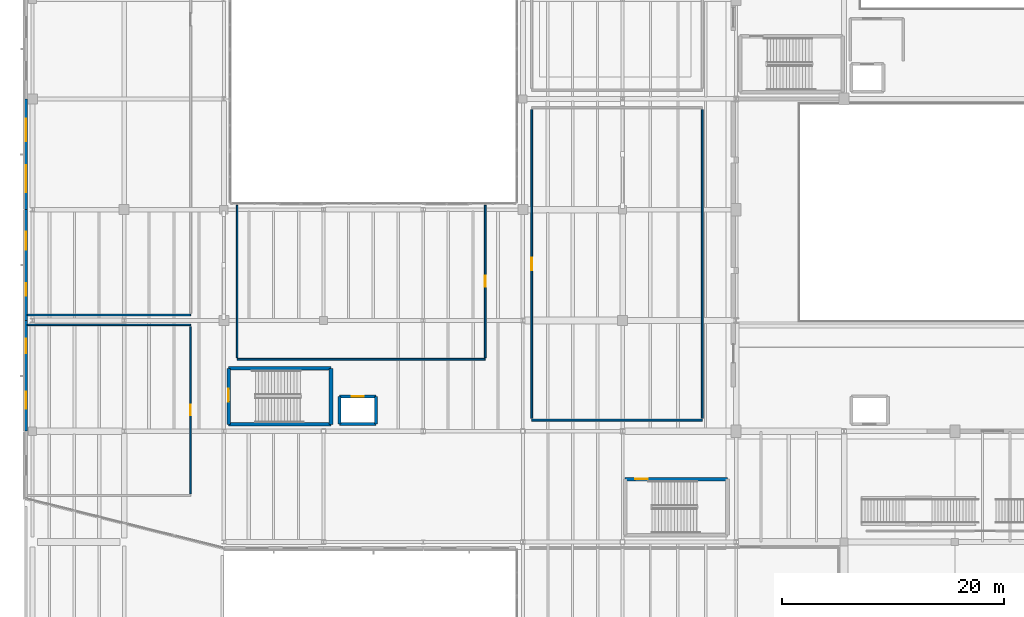
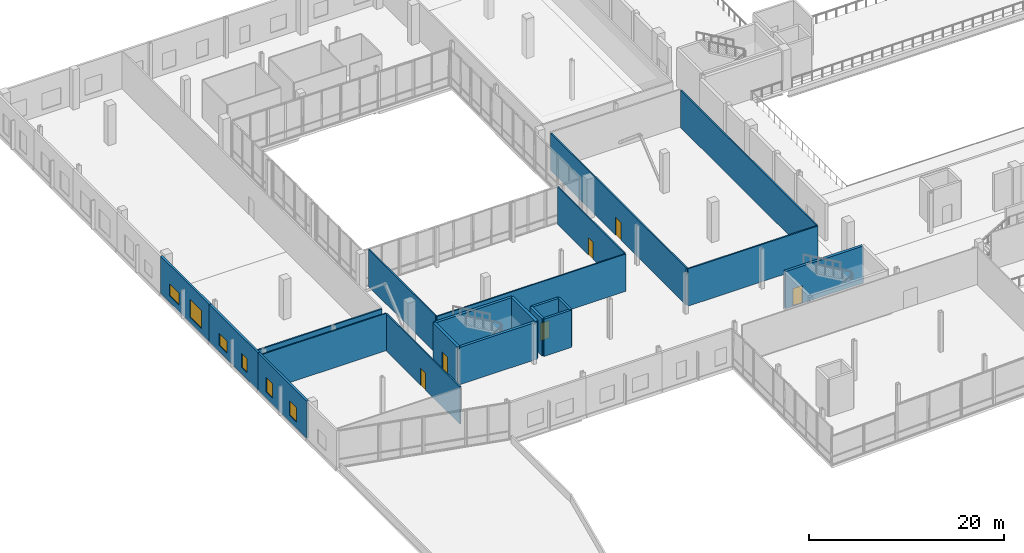
# One storey, part 59 of 81: 21 walls, 6 doors, 6 windows, 12 openings.
"""IFC4 building model written with IfcOpenShell, lengths in metres."""

from ifc_helpers import new_model, si_unit, direction, frame, frame_2d, origin, place, context, subcontext, project, spatial, rectangle, extrude, material, layer, layer_set, type_object, element, fill, save


model = new_model("IFC4")

# Units and contexts
model_context = context("Model", 3, precision=1e-05, world=origin(), true_north=direction((0.0, 1.0)))
body_context = subcontext(model_context, "Body", "Model", "MODEL_VIEW")
ifc_project = project(units=[si_unit("LENGTHUNIT", "METRE"), si_unit("AREAUNIT", "SQUARE_METRE"), si_unit("VOLUMEUNIT", "CUBIC_METRE"), si_unit("PLANEANGLEUNIT", "RADIAN"), si_unit("MASSUNIT", "GRAM", prefix="KILO")], contexts=[model_context])

# Site, building, storey
site_placement = place(None, origin())
site = spatial("IfcSite", under=ifc_project, at=site_placement, CompositionType="ELEMENT")
building_placement = place(site_placement, origin())
building = spatial("IfcBuilding", under=site, at=building_placement, Name="Trimount Lyric Opera House", CompositionType="ELEMENT")
storey_placement = place(building_placement, frame((0.0, 0.0, 5.0)))
storey = spatial("IfcBuildingStorey", under=building, at=storey_placement, Name="L01", CompositionType="ELEMENT", Elevation=5.0)

# Walls
ifc_material_1 = material(Name="Fire-Rated Gypsum Board Partition")
ifc_layer_1 = layer(ifc_material_1, 0.14990234375)
ifc_layer_set_1 = layer_set([ifc_layer_1], Name="WL-PT150")
wall_type_1 = type_object("IfcWallType", Name="WL-PT150", PredefinedType="PARTITIONING", material=ifc_layer_set_1)
wall_1_placement = place(storey_placement, frame((19.199951171875, 60.5, 0.0), z_axis=(0.0, 0.0, 1.0), x_axis=(1.0, 0.0, 0.0)))
element("IfcWall", 1, at=wall_1_placement, inside=storey, type_object=wall_type_1, Name="L01 Ensemble Dressing Suites West S partition", PredefinedType="PARTITIONING", context=body_context, shape_type="SweptSolid", body=[
    extrude(rectangle(XDim=22.400146484375, YDim=0.14990234375, at=frame_2d((11.2001953125, 0.0))), origin(), (0.0, 0.0, 1.0), 4.679931640625),
])
wall_2_placement = place(storey_placement, frame((19.199951171875, 74.39990234375, 0.0), z_axis=(0.0, 0.0, 1.0), x_axis=(0.0, -1.0, 0.0)))
element("IfcWall", 2, at=wall_2_placement, inside=storey, type_object=wall_type_1, Name="L01 Ensemble Dressing Suites West W partition", PredefinedType="PARTITIONING", context=body_context, shape_type="SweptSolid", body=[
    extrude(rectangle(XDim=13.75, YDim=0.14990234375, at=frame_2d((6.875, 0.0))), origin(), (0.0, 0.0, 1.0), 4.679931640625),
])

# Wall, opening, door
wall_3_placement = place(storey_placement, frame((41.60009765625, 60.64990234375, 0.0), z_axis=(0.0, 0.0, 1.0), x_axis=(0.0, 1.0, 0.0)))
wall_3 = element("IfcWall", 3, at=wall_3_placement, inside=storey, type_object=wall_type_1, Name="L01 Ensemble Dressing Suites West E partition", PredefinedType="PARTITIONING", context=body_context, shape_type="SweptSolid", body=[
    extrude(rectangle(XDim=13.75, YDim=0.14990234375, at=frame_2d((6.875, 0.0))), origin(), (0.0, 0.0, 1.0), 4.679931640625),
])
opening_1_placement = place(wall_3_placement, frame((6.375, 0.0, 0.0)))
opening_1 = element("IfcOpeningElement", 4, at=opening_1_placement, cuts=wall_3, Name="Opening DT-RM1", PredefinedType="OPENING", context=body_context, shape_type="SweptSolid", body=[
    extrude(rectangle(XDim=1.0, YDim=2.14990234375, at=frame_2d((0.5, 1.074951171875))), frame((0.0, 0.0849609375, 0.0), z_axis=(0.0, -1.0, 0.0), x_axis=(1.0, 0.0, 0.0)), (0.0, 0.0, 1.0), 0.169921875),
])
ifc_material_2 = material(Name="Solid Core White Oak")
door_type_1 = type_object("IfcDoorType", Name="DT-RM1", OperationType="NOTDEFINED", PredefinedType="DOOR", material=ifc_material_2)
door_1_placement = place(opening_1_placement, origin())
door_1 = element("IfcDoor", 5, at=door_1_placement, inside=storey, type_object=door_type_1, Name="D-198", OperationType="SINGLE_SWING_LEFT", OverallHeight=2.14990234375, OverallWidth=1.0, PredefinedType="DOOR", context=body_context, shape_type="SweptSolid", body=[
    extrude(rectangle(XDim=1.0, YDim=2.14990234375, at=frame_2d((0.5, 1.074951171875))), frame((0.0, 0.02490234375, 0.0), z_axis=(0.0, -1.0, 0.0), x_axis=(1.0, 0.0, 0.0)), (0.0, 0.0, 1.0), 0.050048828125),
])
fill(opening_1, door_1)

# Wall
wall_4_placement = place(storey_placement, frame((15.0, 63.60009765625, 0.0), z_axis=(0.0, 0.0, 1.0), x_axis=(-1.0, 0.0, 0.0)))
element("IfcWall", 6, at=wall_4_placement, inside=storey, type_object=wall_type_1, Name="L01 Conductor & Soloist Suite N partition", PredefinedType="PARTITIONING", context=body_context, shape_type="SweptSolid", body=[
    extrude(rectangle(XDim=14.75, YDim=0.14990234375, at=frame_2d((7.375, 0.0))), origin(), (0.0, 0.0, 1.0), 4.679931640625),
])

# Wall, opening, door
wall_5_placement = place(storey_placement, frame((15.0, 48.35009765625, 0.0), z_axis=(0.0, 0.0, 1.0), x_axis=(0.0, 1.0, 0.0)))
wall_5 = element("IfcWall", 7, at=wall_5_placement, inside=storey, type_object=wall_type_1, Name="L01 Conductor & Soloist Suite E partition", PredefinedType="PARTITIONING", context=body_context, shape_type="SweptSolid", body=[
    extrude(rectangle(XDim=15.099853515625, YDim=0.14990234375, at=frame_2d((7.5498046875, 0.0))), origin(), (0.0, 0.0, 1.0), 4.679931640625),
])
opening_2_placement = place(wall_5_placement, frame((7.074951171875, 0.0, 0.0)))
opening_2 = element("IfcOpeningElement", 8, at=opening_2_placement, cuts=wall_5, Name="Opening DT-RM2", PredefinedType="OPENING", context=body_context, shape_type="SweptSolid", body=[
    extrude(rectangle(XDim=0.949951171875, YDim=2.14990234375, at=frame_2d((0.47509765625, 1.074951171875))), frame((0.0, 0.0849609375, 0.0), z_axis=(0.0, -1.0, 0.0), x_axis=(1.0, 0.0, 0.0)), (0.0, 0.0, 1.0), 0.169921875),
])
ifc_material_3 = material(Name="Solid Core White Oak")
door_type_2 = type_object("IfcDoorType", Name="DT-RM2", OperationType="NOTDEFINED", PredefinedType="DOOR", material=ifc_material_3)
door_2_placement = place(opening_2_placement, origin())
door_2 = element("IfcDoor", 9, at=door_2_placement, inside=storey, type_object=door_type_2, Name="D-200", OperationType="SINGLE_SWING_LEFT", OverallHeight=2.14990234375, OverallWidth=0.949951171875, PredefinedType="DOOR", context=body_context, shape_type="SweptSolid", body=[
    extrude(rectangle(XDim=0.949951171875, YDim=2.14990234375, at=frame_2d((0.47509765625, 1.074951171875))), frame((0.0, 0.02490234375, 0.0), z_axis=(0.0, -1.0, 0.0), x_axis=(1.0, 0.0, 0.0)), (0.0, 0.0, 1.0), 0.050048828125),
])
fill(opening_2, door_2)

# Walls
ifc_material_4 = material(Name="Acoustic Double-Stud Gypsum Board")
ifc_layer_2 = layer(ifc_material_4, 0.1650390625)
ifc_layer_set_2 = layer_set([ifc_layer_2], Name="WL-PT165")
wall_type_2 = type_object("IfcWallType", Name="WL-PT165", PredefinedType="PARTITIONING", material=ifc_layer_set_2)
wall_6_placement = place(storey_placement, frame((0.25, 64.5, 0.0), z_axis=(0.0, 0.0, 1.0), x_axis=(1.0, 0.0, 0.0)))
element("IfcWall", 10, at=wall_6_placement, inside=storey, type_object=wall_type_2, Name="L01 Vocal & Repetiteur Studios S partition", PredefinedType="PARTITIONING", context=body_context, shape_type="SweptSolid", body=[
    extrude(rectangle(XDim=14.75, YDim=0.1650390625, at=frame_2d((7.375, 0.0))), origin(), (0.0, 0.0, 1.0), 4.679931640625),
])
wall_7_placement = place(storey_placement, frame((45.800048828125, 55.0, 0.0), z_axis=(0.0, 0.0, 1.0), x_axis=(1.0, 0.0, 0.0)))
element("IfcWall", 11, at=wall_7_placement, inside=storey, type_object=wall_type_2, Name="L01 Chorus Sectional Rehearsal Studio S partition", PredefinedType="PARTITIONING", context=body_context, shape_type="SweptSolid", body=[
    extrude(rectangle(XDim=15.39990234375, YDim=0.1650390625, at=frame_2d((7.699951171875, 0.0))), origin(), (0.0, 0.0, 1.0), 4.679931640625),
])

# Wall, opening, door
wall_8_placement = place(storey_placement, frame((45.800048828125, 83.034912109375, 0.0), z_axis=(0.0, 0.0, 1.0), x_axis=(0.0, -1.0, 0.0)))
wall_8 = element("IfcWall", 12, at=wall_8_placement, inside=storey, type_object=wall_type_2, Name="L01 Chorus Sectional Rehearsal Studio W partition", PredefinedType="PARTITIONING", context=body_context, shape_type="SweptSolid", body=[
    extrude(rectangle(XDim=27.869873046875, YDim=0.1650390625, at=frame_2d((13.93505859375, 0.0))), origin(), (0.0, 0.0, 1.0), 4.679931640625),
])
opening_3_placement = place(wall_8_placement, frame((13.375, 0.0, 0.0)))
opening_3 = element("IfcOpeningElement", 13, at=opening_3_placement, cuts=wall_8, Name="Opening DT-AC2", PredefinedType="OPENING", context=body_context, shape_type="SweptSolid", body=[
    extrude(rectangle(XDim=1.1201171875, YDim=2.25, at=frame_2d((0.56005859375, 1.125))), frame((0.0, 0.092529296875, 0.0), z_axis=(0.0, -1.0, 0.0), x_axis=(1.0, 0.0, 0.0)), (0.0, 0.0, 1.0), 0.18505859375),
])
ifc_material_5 = material(Name="Acoustic Steel-Core Timber", Category="steel")
door_type_3 = type_object("IfcDoorType", Name="DT-AC2", OperationType="NOTDEFINED", PredefinedType="DOOR", material=ifc_material_5)
door_3_placement = place(opening_3_placement, origin())
door_3 = element("IfcDoor", 14, at=door_3_placement, inside=storey, type_object=door_type_3, Name="D-199", OperationType="SINGLE_SWING_RIGHT", OverallHeight=2.25, OverallWidth=1.1201171875, PredefinedType="DOOR", context=body_context, shape_type="SweptSolid", body=[
    extrude(rectangle(XDim=1.1201171875, YDim=2.25, at=frame_2d((0.56005859375, 1.125))), frame((0.0, 0.02490234375, 0.0), z_axis=(0.0, -1.0, 0.0), x_axis=(1.0, 0.0, 0.0)), (0.0, 0.0, 1.0), 0.050048828125),
])
fill(opening_3, door_3)

# Walls
wall_9_placement = place(storey_placement, frame((61.199951171875, 55.1650390625, 0.0), z_axis=(0.0, 0.0, 1.0), x_axis=(0.0, 1.0, 0.0)))
element("IfcWall", 15, at=wall_9_placement, inside=storey, type_object=wall_type_2, Name="L01 Chorus Sectional Rehearsal Studio E partition", PredefinedType="PARTITIONING", context=body_context, shape_type="SweptSolid", body=[
    extrude(rectangle(XDim=27.869873046875, YDim=0.1650390625, at=frame_2d((13.93505859375, 0.0))), origin(), (0.0, 0.0, 1.0), 4.679931640625),
])
ifc_material_6 = material(Name="Concrete C40/50", Category="concrete")
ifc_layer_3 = layer(ifc_material_6, 0.280029296875)
ifc_layer_set_3 = layer_set([ifc_layer_3], Name="WL-SH280")
wall_type_3 = type_object("IfcWallType", Name="WL-SH280", PredefinedType="SHEAR", material=ifc_layer_set_3)
wall_10_placement = place(storey_placement, frame((28.4599609375, 54.659912109375, 0.0), z_axis=(0.0, 0.0, 1.0), x_axis=(1.0, 0.0, 0.0)))
element("IfcWall", 16, at=wall_10_placement, inside=storey, type_object=wall_type_3, Name="Lift LF-06 L01 south shaft wall", PredefinedType="SHEAR", context=body_context, shape_type="SweptSolid", body=[
    extrude(rectangle(XDim=3.280029296875, YDim=0.280029296875, at=frame_2d((1.64013671875, 0.0))), origin(), (0.0, 0.0, 1.0), 4.679931640625),
])

# Wall, opening, door
wall_11_placement = place(storey_placement, frame((31.739990234375, 57.139892578125, 0.0), z_axis=(0.0, 0.0, 1.0), x_axis=(-1.0, 0.0, 0.0)))
wall_11 = element("IfcWall", 17, at=wall_11_placement, inside=storey, type_object=wall_type_3, Name="Lift LF-06 L01 north shaft wall", PredefinedType="SHEAR", context=body_context, shape_type="SweptSolid", body=[
    extrude(rectangle(XDim=3.280029296875, YDim=0.280029296875, at=frame_2d((1.64013671875, 0.0))), origin(), (0.0, 0.0, 1.0), 4.679931640625),
])
opening_4_placement = place(wall_11_placement, frame((1.090087890625, 0.0, 0.0)))
opening_4 = element("IfcOpeningElement", 18, at=opening_4_placement, cuts=wall_11, Name="Opening DT-LD1", PredefinedType="OPENING", context=body_context, shape_type="SweptSolid", body=[
    extrude(rectangle(XDim=1.10009765625, YDim=2.199951171875, at=frame_2d((0.550048828125, 1.10009765625))), frame((0.0, 0.14990234375, 0.0), z_axis=(0.0, -1.0, 0.0), x_axis=(1.0, 0.0, 0.0)), (0.0, 0.0, 1.0), 0.300048828125),
])
ifc_material_7 = material(Name="Brushed Stainless Steel", Category="steel")
door_type_4 = type_object("IfcDoorType", Name="DT-LD1", OperationType="SLIDING_TO_LEFT", PredefinedType="DOOR", material=ifc_material_7)
door_4_placement = place(opening_4_placement, origin())
door_4 = element("IfcDoor", 19, at=door_4_placement, inside=storey, type_object=door_type_4, Name="D-109", OperationType="SLIDING_TO_LEFT", OverallHeight=2.199951171875, OverallWidth=1.10009765625, PredefinedType="DOOR", context=body_context, shape_type="SweptSolid", body=[
    extrude(rectangle(XDim=1.10009765625, YDim=2.199951171875, at=frame_2d((0.550048828125, 1.10009765625))), frame((0.0, 0.02490234375, 0.0), z_axis=(0.0, -1.0, 0.0), x_axis=(1.0, 0.0, 0.0)), (0.0, 0.0, 1.0), 0.050048828125),
])
fill(opening_4, door_4)

# Walls
for number, where, z_axis, x_axis, name in (
    (20, (28.4599609375, 57.139892578125, 0.0), (0.0, 0.0, 1.0), (0.0, -1.0, 0.0), "Lift LF-06 L01 west shaft wall"),
    (21, (31.739990234375, 54.659912109375, 0.0), (0.0, 0.0, 1.0), (0.0, 1.0, 0.0), "Lift LF-06 L01 east shaft wall"),
):
    element("IfcWall", number, at=place(storey_placement, frame(where, z_axis=z_axis, x_axis=x_axis)), inside=storey, type_object=wall_type_3, Name=name, PredefinedType="SHEAR", context=body_context, shape_type="SweptSolid", body=[
        extrude(rectangle(XDim=2.47998046875, YDim=0.280029296875, at=frame_2d((1.239990234375, 0.0))), origin(), (0.0, 0.0, 1.0), 4.679931640625),
    ])
ifc_material_8 = material(Name="Concrete C40/50", Category="concrete")
ifc_layer_4 = layer(ifc_material_8, 0.320068359375)
ifc_layer_set_4 = layer_set([ifc_layer_4], Name="WL-SH320")
wall_type_4 = type_object("IfcWallType", Name="WL-SH320", PredefinedType="SHEAR", material=ifc_layer_set_4)
for number, where, z_axis, x_axis, name in (
    (22, (18.425048828125, 54.625, 0.0), (0.0, 0.0, 1.0), (1.0, 0.0, 0.0), "K6 L01 south shaft wall"),
    (23, (27.675048828125, 59.675048828125, 0.0), (0.0, 0.0, 1.0), (-1.0, 0.0, 0.0), "K6 L01 north shaft wall"),
):
    element("IfcWall", number, at=place(storey_placement, frame(where, z_axis=z_axis, x_axis=x_axis)), inside=storey, type_object=wall_type_4, Name=name, PredefinedType="SHEAR", context=body_context, shape_type="SweptSolid", body=[
        extrude(rectangle(XDim=9.25, YDim=0.320068359375, at=frame_2d((4.625, 0.0))), origin(), (0.0, 0.0, 1.0), 4.679931640625),
    ])

# Wall, opening, door
wall_12_placement = place(storey_placement, frame((18.425048828125, 59.675048828125, 0.0), z_axis=(0.0, 0.0, 1.0), x_axis=(0.0, -1.0, 0.0)))
wall_12 = element("IfcWall", 24, at=wall_12_placement, inside=storey, type_object=wall_type_4, Name="K6 L01 west shaft wall", PredefinedType="SHEAR", context=body_context, shape_type="SweptSolid", body=[
    extrude(rectangle(XDim=5.050048828125, YDim=0.320068359375, at=frame_2d((2.52490234375, 0.0))), origin(), (0.0, 0.0, 1.0), 4.679931640625),
])
opening_5_placement = place(wall_12_placement, frame((1.85009765625, 0.0, 0.0)))
opening_5 = element("IfcOpeningElement", 25, at=opening_5_placement, cuts=wall_12, Name="Opening DT-ST1", PredefinedType="OPENING", context=body_context, shape_type="SweptSolid", body=[
    extrude(rectangle(XDim=1.14990234375, YDim=2.199951171875, at=frame_2d((0.574951171875, 1.10009765625))), frame((0.0, 0.169921875, 0.0), z_axis=(0.0, -1.0, 0.0), x_axis=(1.0, 0.0, 0.0)), (0.0, 0.0, 1.0), 0.340087890625),
])
ifc_material_9 = material(Name="Fire-Rated Hollow Steel", Category="steel")
door_type_5 = type_object("IfcDoorType", Name="DT-ST1", OperationType="NOTDEFINED", PredefinedType="DOOR", material=ifc_material_9)
door_5_placement = place(opening_5_placement, origin())
door_5 = element("IfcDoor", 26, at=door_5_placement, inside=storey, type_object=door_type_5, Name="D-047", OperationType="SINGLE_SWING_LEFT", OverallHeight=2.199951171875, OverallWidth=1.14990234375, PredefinedType="DOOR", context=body_context, shape_type="SweptSolid", body=[
    extrude(rectangle(XDim=1.14990234375, YDim=2.199951171875, at=frame_2d((0.574951171875, 1.10009765625))), frame((0.0, 0.02490234375, 0.0), z_axis=(0.0, -1.0, 0.0), x_axis=(1.0, 0.0, 0.0)), (0.0, 0.0, 1.0), 0.050048828125),
])
fill(opening_5, door_5)

# Wall
wall_13_placement = place(storey_placement, frame((27.675048828125, 54.625, 0.0), z_axis=(0.0, 0.0, 1.0), x_axis=(0.0, 1.0, 0.0)))
element("IfcWall", 27, at=wall_13_placement, inside=storey, type_object=wall_type_4, Name="K6 L01 east shaft wall", PredefinedType="SHEAR", context=body_context, shape_type="SweptSolid", body=[
    extrude(rectangle(XDim=5.050048828125, YDim=0.320068359375, at=frame_2d((2.52490234375, 0.0))), origin(), (0.0, 0.0, 1.0), 4.679931640625),
])

# Wall, opening, door
wall_14_placement = place(storey_placement, frame((63.47509765625, 49.675048828125, 0.0), z_axis=(0.0, 0.0, 1.0), x_axis=(-1.0, 0.0, 0.0)))
wall_14 = element("IfcWall", 28, at=wall_14_placement, inside=storey, type_object=wall_type_4, Name="K7 L01 north shaft wall", PredefinedType="SHEAR", context=body_context, shape_type="SweptSolid", body=[
    extrude(rectangle(XDim=9.25, YDim=0.320068359375, at=frame_2d((4.625, 0.0))), origin(), (0.0, 0.0, 1.0), 4.64990234375),
])
opening_6_placement = place(wall_14_placement, frame((7.199951171875, 0.0, 0.0)))
opening_6 = element("IfcOpeningElement", 29, at=opening_6_placement, cuts=wall_14, Name="Opening DT-ST1", PredefinedType="OPENING", context=body_context, shape_type="SweptSolid", body=[
    extrude(rectangle(XDim=1.14990234375, YDim=2.199951171875, at=frame_2d((0.574951171875, 1.10009765625))), frame((0.0, 0.169921875, 0.0), z_axis=(0.0, -1.0, 0.0), x_axis=(1.0, 0.0, 0.0)), (0.0, 0.0, 1.0), 0.340087890625),
])
door_6_placement = place(opening_6_placement, origin())
door_6 = element("IfcDoor", 30, at=door_6_placement, inside=storey, type_object=door_type_5, Name="D-053", OperationType="SINGLE_SWING_LEFT", OverallHeight=2.199951171875, OverallWidth=1.14990234375, PredefinedType="DOOR", context=body_context, shape_type="SweptSolid", body=[
    extrude(rectangle(XDim=1.14990234375, YDim=2.199951171875, at=frame_2d((0.574951171875, 1.10009765625))), frame((0.0, 0.02490234375, 0.0), z_axis=(0.0, -1.0, 0.0), x_axis=(1.0, 0.0, 0.0)), (0.0, 0.0, 1.0), 0.050048828125),
])
fill(opening_6, door_6)

# Wall, openings, windows
ifc_material_10 = material(Name="Concrete C35/45", Category="concrete")
ifc_layer_5 = layer(ifc_material_10, 0.25)
ifc_layer_set_5 = layer_set([ifc_layer_5], Name="WL-SW250")
wall_type_5 = type_object("IfcWallType", Name="WL-SW250", PredefinedType="SOLIDWALL", material=ifc_layer_set_5)
wall_15_placement = place(storey_placement, frame((0.139892578125, 54.0, 0.0), z_axis=(0.0, 0.0, 1.0), x_axis=(0.0, 1.0, 0.0)))
wall_15 = element("IfcWall", 31, at=wall_15_placement, inside=storey, type_object=wall_type_5, Name="L01 exterior facade wall 158", PredefinedType="SOLIDWALL", context=body_context, shape_type="SweptSolid", body=[
    extrude(rectangle(XDim=10.0, YDim=0.25, at=frame_2d((5.0, 0.0))), origin(), (0.0, 0.0, 1.0), 4.679931640625),
])
opening_7_placement = place(wall_15_placement, frame((2.050048828125, 0.0, 0.800048828125)))
opening_7 = element("IfcOpeningElement", 32, at=opening_7_placement, cuts=wall_15, Name="Opening WT-20", PredefinedType="OPENING", context=body_context, shape_type="SweptSolid", body=[
    extrude(rectangle(XDim=1.5, YDim=1.800048828125, at=frame_2d((0.75, 0.89990234375))), frame((0.0, 0.135009765625, 0.0), z_axis=(0.0, -1.0, 0.0), x_axis=(1.0, 0.0, 0.0)), (0.0, 0.0, 1.0), 0.27001953125),
])
opening_8_placement = place(wall_15_placement, frame((7.050048828125, 0.0, 0.800048828125)))
opening_8 = element("IfcOpeningElement", 33, at=opening_8_placement, cuts=wall_15, Name="Opening WT-21", PredefinedType="OPENING", context=body_context, shape_type="SweptSolid", body=[
    extrude(rectangle(XDim=1.300048828125, YDim=1.800048828125, at=frame_2d((0.64990234375, 0.89990234375))), frame((0.0, 0.135009765625, 0.0), z_axis=(0.0, -1.0, 0.0), x_axis=(1.0, 0.0, 0.0)), (0.0, 0.0, 1.0), 0.27001953125),
])
ifc_material_11 = material(Name="Dressing Suite Acoustic Window")
window_type_1 = type_object("IfcWindowType", Name="WT-20", PartitioningType="SINGLE_PANEL", PredefinedType="WINDOW", material=ifc_material_11)
window_1_placement = place(opening_7_placement, origin())
window_1 = element("IfcWindow", 34, at=window_1_placement, inside=storey, type_object=window_type_1, Name="Window WT-20-0072", OverallHeight=1.800048828125, OverallWidth=1.5, PartitioningType="SINGLE_PANEL", PredefinedType="WINDOW", context=body_context, shape_type="SweptSolid", body=[
    extrude(rectangle(XDim=1.5, YDim=1.800048828125, at=frame_2d((0.75, 0.89990234375))), frame((0.0, 0.030029296875, 0.0), z_axis=(0.0, -1.0, 0.0), x_axis=(1.0, 0.0, 0.0)), (0.0, 0.0, 1.0), 0.06005859375),
])
fill(opening_7, window_1)
ifc_material_12 = material(Name="Dressing Suite Acoustic Window")
window_type_2 = type_object("IfcWindowType", Name="WT-21", PartitioningType="SINGLE_PANEL", PredefinedType="WINDOW", material=ifc_material_12)
window_2_placement = place(opening_8_placement, origin())
window_2 = element("IfcWindow", 35, at=window_2_placement, inside=storey, type_object=window_type_2, Name="Window WT-21-0073", OverallHeight=1.800048828125, OverallWidth=1.300048828125, PartitioningType="SINGLE_PANEL", PredefinedType="WINDOW", context=body_context, shape_type="SweptSolid", body=[
    extrude(rectangle(XDim=1.300048828125, YDim=1.800048828125, at=frame_2d((0.64990234375, 0.89990234375))), frame((0.0, 0.030029296875, 0.0), z_axis=(0.0, -1.0, 0.0), x_axis=(1.0, 0.0, 0.0)), (0.0, 0.0, 1.0), 0.06005859375),
])
fill(opening_8, window_2)

wall_16_placement = place(storey_placement, frame((0.139892578125, 64.0, 0.0), z_axis=(0.0, 0.0, 1.0), x_axis=(0.0, 1.0, 0.0)))
wall_16 = element("IfcWall", 36, at=wall_16_placement, inside=storey, type_object=wall_type_5, Name="L01 exterior facade wall 159", PredefinedType="SOLIDWALL", context=body_context, shape_type="SweptSolid", body=[
    extrude(rectangle(XDim=10.0, YDim=0.25, at=frame_2d((5.0, 0.0))), origin(), (0.0, 0.0, 1.0), 4.679931640625),
])
opening_9_placement = place(wall_16_placement, frame((2.25, 0.0, 0.800048828125)))
opening_9 = element("IfcOpeningElement", 37, at=opening_9_placement, cuts=wall_16, Name="Opening WT-22", PredefinedType="OPENING", context=body_context, shape_type="SweptSolid", body=[
    extrude(rectangle(XDim=1.10009765625, YDim=1.800048828125, at=frame_2d((0.550048828125, 0.89990234375))), frame((0.0, 0.135009765625, 0.0), z_axis=(0.0, -1.0, 0.0), x_axis=(1.0, 0.0, 0.0)), (0.0, 0.0, 1.0), 0.27001953125),
])
opening_10_placement = place(wall_16_placement, frame((6.39990234375, 0.0, 0.800048828125)))
opening_10 = element("IfcOpeningElement", 38, at=opening_10_placement, cuts=wall_16, Name="Opening WT-26", PredefinedType="OPENING", context=body_context, shape_type="SweptSolid", body=[
    extrude(rectangle(XDim=1.60009765625, YDim=1.5, at=frame_2d((0.800048828125, 0.75))), frame((0.0, 0.135009765625, 0.0), z_axis=(0.0, -1.0, 0.0), x_axis=(1.0, 0.0, 0.0)), (0.0, 0.0, 1.0), 0.27001953125),
])
ifc_material_13 = material(Name="Practice Room Acoustic Window")
window_type_3 = type_object("IfcWindowType", Name="WT-22", PartitioningType="SINGLE_PANEL", PredefinedType="WINDOW", material=ifc_material_13)
window_3_placement = place(opening_9_placement, origin())
window_3 = element("IfcWindow", 39, at=window_3_placement, inside=storey, type_object=window_type_3, Name="Window WT-22-0074", OverallHeight=1.800048828125, OverallWidth=1.10009765625, PartitioningType="SINGLE_PANEL", PredefinedType="WINDOW", context=body_context, shape_type="SweptSolid", body=[
    extrude(rectangle(XDim=1.10009765625, YDim=1.800048828125, at=frame_2d((0.550048828125, 0.89990234375))), frame((0.0, 0.030029296875, 0.0), z_axis=(0.0, -1.0, 0.0), x_axis=(1.0, 0.0, 0.0)), (0.0, 0.0, 1.0), 0.06005859375),
])
fill(opening_9, window_3)
ifc_material_14 = material(Name="Clerestory Ribbon Glazing", Category="glass")
window_type_4 = type_object("IfcWindowType", Name="WT-26", PartitioningType="SINGLE_PANEL", PredefinedType="WINDOW", material=ifc_material_14)
window_4_placement = place(opening_10_placement, origin())
window_4 = element("IfcWindow", 40, at=window_4_placement, inside=storey, type_object=window_type_4, Name="Window WT-26-0075", OverallHeight=1.5, OverallWidth=1.60009765625, PartitioningType="SINGLE_PANEL", PredefinedType="WINDOW", context=body_context, shape_type="SweptSolid", body=[
    extrude(rectangle(XDim=1.60009765625, YDim=1.5, at=frame_2d((0.800048828125, 0.75))), frame((0.0, 0.030029296875, 0.0), z_axis=(0.0, -1.0, 0.0), x_axis=(1.0, 0.0, 0.0)), (0.0, 0.0, 1.0), 0.06005859375),
])
fill(opening_10, window_4)

wall_17_placement = place(storey_placement, frame((0.139892578125, 74.0, 0.0), z_axis=(0.0, 0.0, 1.0), x_axis=(0.0, 1.0, 0.0)))
wall_17 = element("IfcWall", 41, at=wall_17_placement, inside=storey, type_object=wall_type_5, Name="L01 exterior facade wall 160", PredefinedType="SOLIDWALL", context=body_context, shape_type="SweptSolid", body=[
    extrude(rectangle(XDim=10.0, YDim=0.25, at=frame_2d((5.0, 0.0))), origin(), (0.0, 0.0, 1.0), 4.679931640625),
])
opening_11_placement = place(wall_17_placement, frame((1.60009765625, 0.0, 0.64990234375)))
opening_11 = element("IfcOpeningElement", 42, at=opening_11_placement, cuts=wall_17, Name="Opening WT-01", PredefinedType="OPENING", context=body_context, shape_type="SweptSolid", body=[
    extrude(rectangle(XDim=2.39990234375, YDim=2.300048828125, at=frame_2d((1.199951171875, 1.14990234375))), frame((0.0, 0.135009765625, 0.0), z_axis=(0.0, -1.0, 0.0), x_axis=(1.0, 0.0, 0.0)), (0.0, 0.0, 1.0), 0.27001953125),
])
opening_12_placement = place(wall_17_placement, frame((6.199951171875, 0.0, 0.800048828125)))
opening_12 = element("IfcOpeningElement", 43, at=opening_12_placement, cuts=wall_17, Name="Opening WT-25", PredefinedType="OPENING", context=body_context, shape_type="SweptSolid", body=[
    extrude(rectangle(XDim=2.0, YDim=1.5, at=frame_2d((1.0, 0.75))), frame((0.0, 0.135009765625, 0.0), z_axis=(0.0, -1.0, 0.0), x_axis=(1.0, 0.0, 0.0)), (0.0, 0.0, 1.0), 0.27001953125),
])
ifc_material_15 = material(Name="Triple Acoustic Glazing in Aluminium Frame", Category="aluminium")
window_type_5 = type_object("IfcWindowType", Name="WT-01", PartitioningType="DOUBLE_PANEL_VERTICAL", PredefinedType="WINDOW", material=ifc_material_15)
window_5_placement = place(opening_11_placement, origin())
window_5 = element("IfcWindow", 44, at=window_5_placement, inside=storey, type_object=window_type_5, Name="Window WT-01-0076", OverallHeight=2.300048828125, OverallWidth=2.39990234375, PartitioningType="SINGLE_PANEL", PredefinedType="WINDOW", context=body_context, shape_type="SweptSolid", body=[
    extrude(rectangle(XDim=2.39990234375, YDim=2.300048828125, at=frame_2d((1.199951171875, 1.14990234375))), frame((0.0, 0.030029296875, 0.0), z_axis=(0.0, -1.0, 0.0), x_axis=(1.0, 0.0, 0.0)), (0.0, 0.0, 1.0), 0.06005859375),
])
fill(opening_11, window_5)
ifc_material_16 = material(Name="Clerestory Ribbon Glazing", Category="glass")
window_type_6 = type_object("IfcWindowType", Name="WT-25", PartitioningType="DOUBLE_PANEL_HORIZONTAL", PredefinedType="WINDOW", material=ifc_material_16)
window_6_placement = place(opening_12_placement, origin())
window_6 = element("IfcWindow", 45, at=window_6_placement, inside=storey, type_object=window_type_6, Name="Window WT-25-0077", OverallHeight=1.5, OverallWidth=2.0, PartitioningType="SINGLE_PANEL", PredefinedType="WINDOW", context=body_context, shape_type="SweptSolid", body=[
    extrude(rectangle(XDim=2.0, YDim=1.5, at=frame_2d((1.0, 0.75))), frame((0.0, 0.030029296875, 0.0), z_axis=(0.0, -1.0, 0.0), x_axis=(1.0, 0.0, 0.0)), (0.0, 0.0, 1.0), 0.06005859375),
])
fill(opening_12, window_6)

save(model, "model.ifc")
